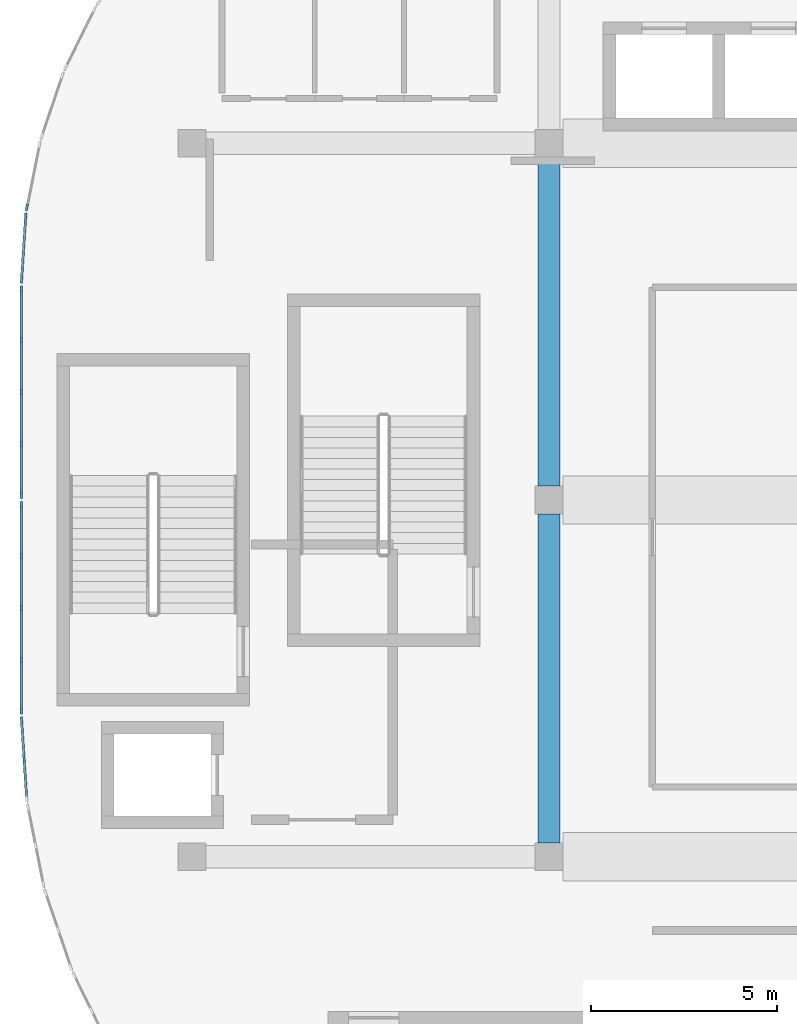
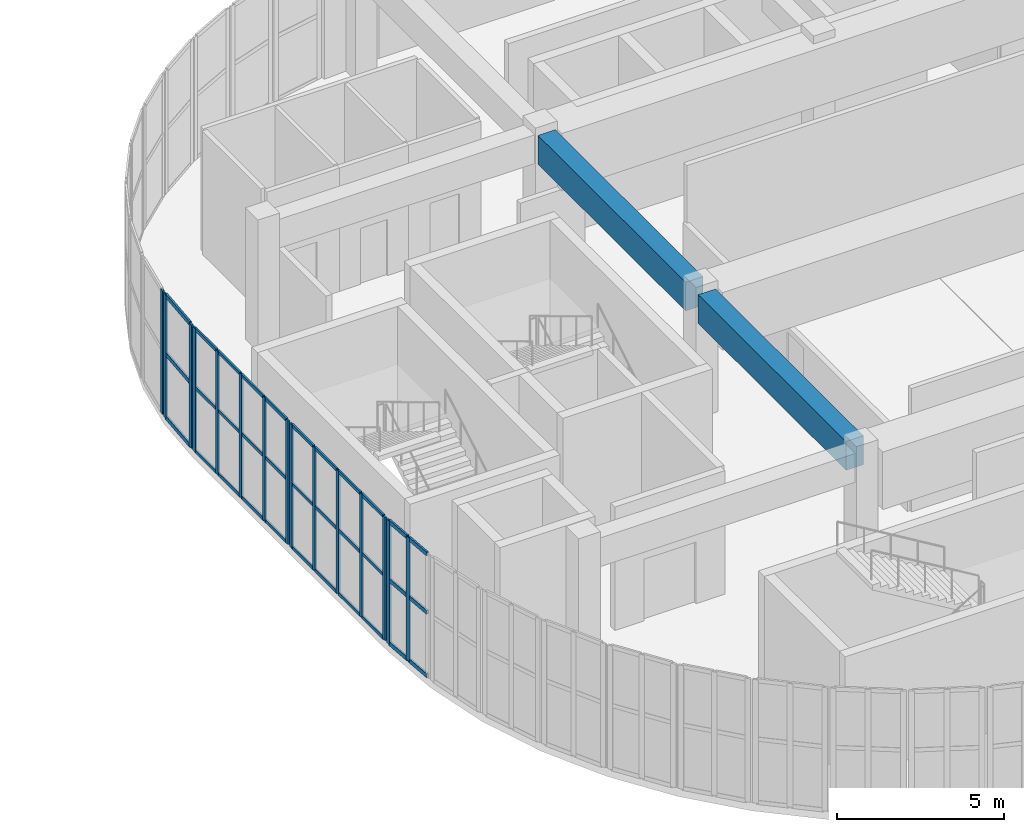
# One storey, part 5 of 28: 48 members, 2 beams, 5 elements without a shape of their own.
"""IFC4 building model written with IfcOpenShell, lengths in metres."""

from ifc_helpers import new_model, si_unit, direction, frame, origin, origin_2d, place, context, subcontext, project, spatial, rectangle, extrude, material, layer, layer_set, material_profile, profile_set, type_object, element, aggregate, save


model = new_model("IFC4")

# Units and contexts
model_context = context("Model", 3, precision=1e-05, world=origin(), true_north=direction((0.0, 1.0)))
body_context = subcontext(model_context, "Body", "Model", "MODEL_VIEW")
ifc_project = project(units=[si_unit("LENGTHUNIT", "METRE"), si_unit("AREAUNIT", "SQUARE_METRE"), si_unit("VOLUMEUNIT", "CUBIC_METRE"), si_unit("PLANEANGLEUNIT", "RADIAN"), si_unit("MASSUNIT", "GRAM", prefix="KILO")], contexts=[model_context])

# Site, building, storey
site_placement = place(None, origin())
site = spatial("IfcSite", under=ifc_project, at=site_placement, CompositionType="ELEMENT")
building_placement = place(site_placement, origin())
building = spatial("IfcBuilding", under=site, at=building_placement, Name="Cendralis Terraced Arcade", CompositionType="ELEMENT")
storey_placement = place(building_placement, frame((0.0, 0.0, 24.60009765625)))
storey = spatial("IfcBuildingStorey", under=building, at=storey_placement, Name="L05", CompositionType="ELEMENT", Elevation=24.60009765625)

# Beams
ifc_material_1 = material(Name="Concrete f'c 35 MPa", Category="concrete")
ifc_material_profile_1 = material_profile(ifc_material_1, rectangle(XDim=0.60009765625, YDim=1.050048828125, at=origin_2d()), Name="RC-BM-600x1050", Category="LoadBearing")
ifc_profile_set_1 = profile_set([ifc_material_profile_1], Name="Concrete f'c 35 MPa")
beam_type = type_object("IfcBeamType", Name="BM-600x1050", PredefinedType="JOIST", material=ifc_profile_set_1)
beam_1_placement = place(storey_placement, frame((19.199951171875, 19.574951171875, 3.98486328125), z_axis=(0.0, 1.0, 0.0), x_axis=(-1.0, 0.0, 0.0)))
element("IfcBeam", 1, at=beam_1_placement, inside=storey, type_object=beam_type, Name="Reinforced Concrete Frame Beam BM-Y-L06-3-C_D", PredefinedType="JOIST", context=body_context, shape_type="SweptSolid", body=[
    extrude(rectangle(XDim=0.60009765625, YDim=1.050048828125, at=origin_2d()), origin(), (0.0, 0.0, 1.0), 8.85009765625),
])
beam_2_placement = place(storey_placement, frame((19.199951171875, 29.175048828125, 3.98486328125), z_axis=(0.0, 1.0, 0.0), x_axis=(-1.0, 0.0, 0.0)))
element("IfcBeam", 2, at=beam_2_placement, inside=storey, type_object=beam_type, Name="Reinforced Concrete Frame Beam BM-Y-L06-3-D_E", PredefinedType="JOIST", context=body_context, shape_type="SweptSolid", body=[
    extrude(rectangle(XDim=0.60009765625, YDim=1.050048828125, at=origin_2d()), origin(), (0.0, 0.0, 1.0), 8.849853515625),
])

# Curtain wall, members
ifc_material_2 = material(Name="Anodised aluminium EN AW-6063 T6", Category="aluminium")
ifc_layer_1 = layer(ifc_material_2, 0.179931640625, Name="CW-UNIT-A")
ifc_layer_set_1 = layer_set([ifc_layer_1], Name="Anodised aluminium EN AW-6063 T6")
curtain_wall_type_1 = type_object("IfcCurtainWallType", Name="CW-UNIT-A", PredefinedType="USERDEFINED", material=ifc_layer_set_1)
curtain_wall_1_placement = place(storey_placement, origin())
curtain_wall_1 = element("IfcCurtainWall", 3, at=curtain_wall_1_placement, inside=storey, type_object=curtain_wall_type_1, Name="Exterior Unitised Facade CW-L05-0379", ObjectType="UNITISED FACADE", PredefinedType="USERDEFINED")
ifc_material_profile_2 = material_profile(ifc_material_2, rectangle(XDim=0.06494140625, YDim=0.179931640625, at=origin_2d()), Name="ALU-MUL-65x180")
ifc_profile_set_2 = profile_set([ifc_material_profile_2], Name="Anodised aluminium EN AW-6063 T6")
member_type_1 = type_object("IfcMemberType", Name="CW-UNIT-A-MUL", PredefinedType="MULLION", material=ifc_profile_set_2)
member_1_placement = place(storey_placement, frame((5.008056640625, 34.72216796875, 0.0), z_axis=(0.0, 0.0, 1.0), x_axis=(-0.997860971336, 0.065371873798, 0.0)))
member_1 = element("IfcMember", 4, at=member_1_placement, type_object=member_type_1, Name="CW-U1 mullion 1", PredefinedType="MULLION", context=body_context, shape_type="SweptSolid", body=[
    extrude(rectangle(XDim=0.06494140625, YDim=0.179931640625, at=origin_2d()), origin(), (0.0, 0.0, 1.0), 4.510009765625),
])
member_2_placement = place(storey_placement, frame((5.120361328125, 36.435791015625, 0.0), z_axis=(0.0, 0.0, 1.0), x_axis=(-0.997860971336, 0.065371873798, 0.0)))
member_2 = element("IfcMember", 5, at=member_2_placement, type_object=member_type_1, Name="CW-U1 mullion 2", PredefinedType="MULLION", context=body_context, shape_type="SweptSolid", body=[
    extrude(rectangle(XDim=0.06494140625, YDim=0.179931640625, at=origin_2d()), origin(), (0.0, 0.0, 1.0), 4.510009765625),
])

# Curtain wall, member
curtain_wall_2_placement = place(storey_placement, origin())
curtain_wall_2 = element("IfcCurtainWall", 6, at=curtain_wall_2_placement, inside=storey, type_object=curtain_wall_type_1, Name="Exterior Unitised Facade CW-L05-0380", ObjectType="UNITISED FACADE", PredefinedType="USERDEFINED")
member_3_placement = place(storey_placement, frame((5.15234375, 36.677978515625, 0.0), z_axis=(0.0, 0.0, 1.0), x_axis=(-0.980791618721, 0.195058454434, 0.0)))
member_3 = element("IfcMember", 7, at=member_3_placement, type_object=member_type_1, Name="CW-U1 mullion 1", PredefinedType="MULLION", context=body_context, shape_type="SweptSolid", body=[
    extrude(rectangle(XDim=0.06494140625, YDim=0.179931640625, at=origin_2d()), origin(), (0.0, 0.0, 1.0), 4.510009765625),
])
aggregate(curtain_wall_2, [member_3])

# Curtain wall, members
curtain_wall_3_placement = place(storey_placement, origin())
curtain_wall_3 = element("IfcCurtainWall", 8, at=curtain_wall_3_placement, inside=storey, type_object=curtain_wall_type_1, Name="Exterior Unitised Facade CW-L05-0428", ObjectType="UNITISED FACADE", PredefinedType="USERDEFINED")
member_4_placement = place(storey_placement, frame((5.076904296875, 21.8251953125, 0.0), z_axis=(0.0, 0.0, 1.0), x_axis=(-0.99785960626, -0.065392707503, 0.0)))
member_4 = element("IfcMember", 9, at=member_4_placement, type_object=member_type_1, Name="CW-U1 mullion 2", PredefinedType="MULLION", context=body_context, shape_type="SweptSolid", body=[
    extrude(rectangle(XDim=0.06494140625, YDim=0.179931640625, at=origin_2d()), origin(), (0.0, 0.0, 1.0), 4.510009765625),
])
member_5_placement = place(storey_placement, frame((5.008056640625, 22.877685546875, 0.0), z_axis=(0.0, 0.0, 1.0), x_axis=(-0.99785960626, -0.065392707503, 0.0)))
member_5 = element("IfcMember", 10, at=member_5_placement, type_object=member_type_1, Name="CW-U1 mullion 3", PredefinedType="MULLION", context=body_context, shape_type="SweptSolid", body=[
    extrude(rectangle(XDim=0.06494140625, YDim=0.179931640625, at=origin_2d()), origin(), (0.0, 0.0, 1.0), 4.510009765625),
])

# Member
ifc_material_profile_3 = material_profile(ifc_material_2, rectangle(XDim=0.06494140625, YDim=0.14990234375, at=origin_2d()), Name="ALU-TRN-65x150")
ifc_profile_set_3 = profile_set([ifc_material_profile_3], Name="Anodised aluminium EN AW-6063 T6")
member_type_2 = type_object("IfcMemberType", Name="CW-UNIT-A-TRN", PredefinedType="USERDEFINED", material=ifc_profile_set_3)
member_6_placement = place(storey_placement, frame((5.01025390625, 34.754638671875, 0.032470703125), z_axis=(0.065312640858, 0.997864850039, 0.0), x_axis=(-0.997864850039, 0.065312640858, 0.0)))
member_6 = element("IfcMember", 11, at=member_6_placement, type_object=member_type_2, Name="CW-U1 transom 1.1", ObjectType="TRANSOM", PredefinedType="USERDEFINED", context=body_context, shape_type="SweptSolid", body=[
    extrude(rectangle(XDim=0.06494140625, YDim=0.14990234375, at=origin_2d()), origin(), (0.0, 0.0, 1.0), 1.652099609375),
])

member_7_placement = place(storey_placement, frame((5.01025390625, 34.754638671875, 2.34521484375), z_axis=(0.065312640858, 0.997864850039, 0.0), x_axis=(-0.997864850039, 0.065312640858, 0.0)))
member_7 = element("IfcMember", 12, at=member_7_placement, type_object=member_type_2, Name="CW-U1 transom 1.2", ObjectType="TRANSOM", PredefinedType="USERDEFINED", context=body_context, shape_type="SweptSolid", body=[
    extrude(rectangle(XDim=0.06494140625, YDim=0.14990234375, at=origin_2d()), origin(), (0.0, 0.0, 1.0), 1.652099609375),
])

member_8_placement = place(storey_placement, frame((5.01025390625, 34.754638671875, 4.477294921875), z_axis=(0.065312640858, 0.997864850039, 0.0), x_axis=(-0.997864850039, 0.065312640858, 0.0)))
member_8 = element("IfcMember", 13, at=member_8_placement, type_object=member_type_2, Name="CW-U1 transom 1.3", ObjectType="TRANSOM", PredefinedType="USERDEFINED", context=body_context, shape_type="SweptSolid", body=[
    extrude(rectangle(XDim=0.06494140625, YDim=0.14990234375, at=origin_2d()), origin(), (0.0, 0.0, 1.0), 1.652099609375),
])

aggregate(curtain_wall_1, [member_1, member_2, member_6, member_7, member_8])

member_9_placement = place(storey_placement, frame((5.143798828125, 20.80517578125, 0.032470703125), z_axis=(-0.065372840697, 0.997860907992, 0.0), x_axis=(-0.997860907992, -0.065372840697, 0.0)))
member_9 = element("IfcMember", 14, at=member_9_placement, type_object=member_type_2, Name="CW-U1 transom 1.1", ObjectType="TRANSOM", PredefinedType="USERDEFINED", context=body_context, shape_type="SweptSolid", body=[
    extrude(rectangle(XDim=0.06494140625, YDim=0.14990234375, at=origin_2d()), origin(), (0.0, 0.0, 1.0), 0.98974609375),
])

member_10_placement = place(storey_placement, frame((5.143798828125, 20.80517578125, 2.34521484375), z_axis=(-0.065372840697, 0.997860907992, 0.0), x_axis=(-0.997860907992, -0.065372840697, 0.0)))
member_10 = element("IfcMember", 15, at=member_10_placement, type_object=member_type_2, Name="CW-U1 transom 1.2", ObjectType="TRANSOM", PredefinedType="USERDEFINED", context=body_context, shape_type="SweptSolid", body=[
    extrude(rectangle(XDim=0.06494140625, YDim=0.14990234375, at=origin_2d()), origin(), (0.0, 0.0, 1.0), 0.98974609375),
])

member_11_placement = place(storey_placement, frame((5.143798828125, 20.80517578125, 4.477294921875), z_axis=(-0.065372840697, 0.997860907992, 0.0), x_axis=(-0.997860907992, -0.065372840697, 0.0)))
member_11 = element("IfcMember", 16, at=member_11_placement, type_object=member_type_2, Name="CW-U1 transom 1.3", ObjectType="TRANSOM", PredefinedType="USERDEFINED", context=body_context, shape_type="SweptSolid", body=[
    extrude(rectangle(XDim=0.06494140625, YDim=0.14990234375, at=origin_2d()), origin(), (0.0, 0.0, 1.0), 0.98974609375),
])

member_12_placement = place(storey_placement, frame((5.074951171875, 21.857666015625, 0.032470703125), z_axis=(-0.065356752321, 0.997861961859, 0.0), x_axis=(-0.997861961859, -0.065356752321, 0.0)))
member_12 = element("IfcMember", 17, at=member_12_placement, type_object=member_type_2, Name="CW-U1 transom 2.1", ObjectType="TRANSOM", PredefinedType="USERDEFINED", context=body_context, shape_type="SweptSolid", body=[
    extrude(rectangle(XDim=0.06494140625, YDim=0.14990234375, at=origin_2d()), origin(), (0.0, 0.0, 1.0), 0.989990234375),
])

member_13_placement = place(storey_placement, frame((5.074951171875, 21.857666015625, 2.34521484375), z_axis=(-0.065356752321, 0.997861961859, 0.0), x_axis=(-0.997861961859, -0.065356752321, 0.0)))
member_13 = element("IfcMember", 18, at=member_13_placement, type_object=member_type_2, Name="CW-U1 transom 2.2", ObjectType="TRANSOM", PredefinedType="USERDEFINED", context=body_context, shape_type="SweptSolid", body=[
    extrude(rectangle(XDim=0.06494140625, YDim=0.14990234375, at=origin_2d()), origin(), (0.0, 0.0, 1.0), 0.989990234375),
])

member_14_placement = place(storey_placement, frame((5.074951171875, 21.857666015625, 4.477294921875), z_axis=(-0.065356752321, 0.997861961859, 0.0), x_axis=(-0.997861961859, -0.065356752321, 0.0)))
member_14 = element("IfcMember", 19, at=member_14_placement, type_object=member_type_2, Name="CW-U1 transom 2.3", ObjectType="TRANSOM", PredefinedType="USERDEFINED", context=body_context, shape_type="SweptSolid", body=[
    extrude(rectangle(XDim=0.06494140625, YDim=0.14990234375, at=origin_2d()), origin(), (0.0, 0.0, 1.0), 0.989990234375),
])

aggregate(curtain_wall_3, [member_4, member_5, member_9, member_10, member_11, member_12, member_13, member_14])

# Curtain wall, members
ifc_layer_2 = layer(ifc_material_2, 0.159912109375, Name="CW-UNIT-B")
ifc_layer_set_2 = layer_set([ifc_layer_2], Name="Anodised aluminium EN AW-6063 T6")
curtain_wall_type_2 = type_object("IfcCurtainWallType", Name="CW-UNIT-B", PredefinedType="USERDEFINED", material=ifc_layer_set_2)
curtain_wall_4_placement = place(storey_placement, origin())
curtain_wall_4 = element("IfcCurtainWall", 20, at=curtain_wall_4_placement, inside=storey, type_object=curtain_wall_type_2, Name="Exterior Unitised Facade CW-L05-0429", ObjectType="UNITISED FACADE", PredefinedType="USERDEFINED")
ifc_material_profile_4 = material_profile(ifc_material_2, rectangle(XDim=0.06494140625, YDim=0.159912109375, at=origin_2d()), Name="ALU-MUL-65x160")
ifc_profile_set_4 = profile_set([ifc_material_profile_4], Name="Anodised aluminium EN AW-6063 T6")
member_type_3 = type_object("IfcMemberType", Name="CW-UNIT-B-MUL", PredefinedType="MULLION", material=ifc_profile_set_4)
member_15_placement = place(storey_placement, frame((5.0, 23.12255859375, 0.0), z_axis=(0.0, 0.0, 1.0), x_axis=(-1.0, 0.0, 0.0)))
member_15 = element("IfcMember", 21, at=member_15_placement, type_object=member_type_3, Name="CW-U2 mullion 1", PredefinedType="MULLION", context=body_context, shape_type="SweptSolid", body=[
    extrude(rectangle(XDim=0.06494140625, YDim=0.159912109375, at=origin_2d()), origin(), (0.0, 0.0, 1.0), 4.510009765625),
])
member_16_placement = place(storey_placement, frame((5.0, 24.4951171875, 0.0), z_axis=(0.0, 0.0, 1.0), x_axis=(-1.0, 0.0, 0.0)))
member_16 = element("IfcMember", 22, at=member_16_placement, type_object=member_type_3, Name="CW-U2 mullion 2", PredefinedType="MULLION", context=body_context, shape_type="SweptSolid", body=[
    extrude(rectangle(XDim=0.06494140625, YDim=0.159912109375, at=origin_2d()), origin(), (0.0, 0.0, 1.0), 4.510009765625),
])
member_17_placement = place(storey_placement, frame((5.0, 25.89990234375, 0.0), z_axis=(0.0, 0.0, 1.0), x_axis=(-1.0, 0.0, 0.0)))
member_17 = element("IfcMember", 23, at=member_17_placement, type_object=member_type_3, Name="CW-U2 mullion 3", PredefinedType="MULLION", context=body_context, shape_type="SweptSolid", body=[
    extrude(rectangle(XDim=0.06494140625, YDim=0.159912109375, at=origin_2d()), origin(), (0.0, 0.0, 1.0), 4.510009765625),
])
member_18_placement = place(storey_placement, frame((5.0, 27.304931640625, 0.0), z_axis=(0.0, 0.0, 1.0), x_axis=(-1.0, 0.0, 0.0)))
member_18 = element("IfcMember", 24, at=member_18_placement, type_object=member_type_3, Name="CW-U2 mullion 4", PredefinedType="MULLION", context=body_context, shape_type="SweptSolid", body=[
    extrude(rectangle(XDim=0.06494140625, YDim=0.159912109375, at=origin_2d()), origin(), (0.0, 0.0, 1.0), 4.510009765625),
])
member_19_placement = place(storey_placement, frame((5.0, 28.677490234375, 0.0), z_axis=(0.0, 0.0, 1.0), x_axis=(-1.0, 0.0, 0.0)))
member_19 = element("IfcMember", 25, at=member_19_placement, type_object=member_type_3, Name="CW-U2 mullion 5", PredefinedType="MULLION", context=body_context, shape_type="SweptSolid", body=[
    extrude(rectangle(XDim=0.06494140625, YDim=0.159912109375, at=origin_2d()), origin(), (0.0, 0.0, 1.0), 4.510009765625),
])

curtain_wall_5_placement = place(storey_placement, origin())
curtain_wall_5 = element("IfcCurtainWall", 26, at=curtain_wall_5_placement, inside=storey, type_object=curtain_wall_type_2, Name="Exterior Unitised Facade CW-L05-0430", ObjectType="UNITISED FACADE", PredefinedType="USERDEFINED")
member_20_placement = place(storey_placement, frame((5.0, 28.922607421875, 0.0), z_axis=(0.0, 0.0, 1.0), x_axis=(-1.0, 0.0, 0.0)))
member_20 = element("IfcMember", 27, at=member_20_placement, type_object=member_type_3, Name="CW-U2 mullion 1", PredefinedType="MULLION", context=body_context, shape_type="SweptSolid", body=[
    extrude(rectangle(XDim=0.06494140625, YDim=0.159912109375, at=origin_2d()), origin(), (0.0, 0.0, 1.0), 4.510009765625),
])
member_21_placement = place(storey_placement, frame((5.0, 30.294921875, 0.0), z_axis=(0.0, 0.0, 1.0), x_axis=(-1.0, 0.0, 0.0)))
member_21 = element("IfcMember", 28, at=member_21_placement, type_object=member_type_3, Name="CW-U2 mullion 2", PredefinedType="MULLION", context=body_context, shape_type="SweptSolid", body=[
    extrude(rectangle(XDim=0.06494140625, YDim=0.159912109375, at=origin_2d()), origin(), (0.0, 0.0, 1.0), 4.510009765625),
])
member_22_placement = place(storey_placement, frame((5.0, 31.699951171875, 0.0), z_axis=(0.0, 0.0, 1.0), x_axis=(-1.0, 0.0, 0.0)))
member_22 = element("IfcMember", 29, at=member_22_placement, type_object=member_type_3, Name="CW-U2 mullion 3", PredefinedType="MULLION", context=body_context, shape_type="SweptSolid", body=[
    extrude(rectangle(XDim=0.06494140625, YDim=0.159912109375, at=origin_2d()), origin(), (0.0, 0.0, 1.0), 4.510009765625),
])
member_23_placement = place(storey_placement, frame((5.0, 33.10498046875, 0.0), z_axis=(0.0, 0.0, 1.0), x_axis=(-1.0, 0.0, 0.0)))
member_23 = element("IfcMember", 30, at=member_23_placement, type_object=member_type_3, Name="CW-U2 mullion 4", PredefinedType="MULLION", context=body_context, shape_type="SweptSolid", body=[
    extrude(rectangle(XDim=0.06494140625, YDim=0.159912109375, at=origin_2d()), origin(), (0.0, 0.0, 1.0), 4.510009765625),
])
member_24_placement = place(storey_placement, frame((5.0, 34.4775390625, 0.0), z_axis=(0.0, 0.0, 1.0), x_axis=(-1.0, 0.0, 0.0)))
member_24 = element("IfcMember", 31, at=member_24_placement, type_object=member_type_3, Name="CW-U2 mullion 5", PredefinedType="MULLION", context=body_context, shape_type="SweptSolid", body=[
    extrude(rectangle(XDim=0.06494140625, YDim=0.159912109375, at=origin_2d()), origin(), (0.0, 0.0, 1.0), 4.510009765625),
])

# Member
ifc_material_profile_5 = material_profile(ifc_material_2, rectangle(XDim=0.06005859375, YDim=0.1201171875, at=origin_2d()), Name="ALU-TRN-60x120")
ifc_profile_set_5 = profile_set([ifc_material_profile_5], Name="Anodised aluminium EN AW-6063 T6")
member_type_4 = type_object("IfcMemberType", Name="CW-UNIT-B-TRN", PredefinedType="USERDEFINED", material=ifc_profile_set_5)
member_25_placement = place(storey_placement, frame((5.0, 23.155029296875, 0.02978515625), z_axis=(0.0, 1.0, 0.0), x_axis=(-1.0, 0.0, 0.0)))
member_25 = element("IfcMember", 32, at=member_25_placement, type_object=member_type_4, Name="CW-U2 transom 1.1", ObjectType="TRANSOM", PredefinedType="USERDEFINED", context=body_context, shape_type="SweptSolid", body=[
    extrude(rectangle(XDim=0.06005859375, YDim=0.1201171875, at=origin_2d()), origin(), (0.0, 0.0, 1.0), 1.307373046875),
])

member_26_placement = place(storey_placement, frame((5.0, 23.155029296875, 2.34521484375), z_axis=(0.0, 1.0, 0.0), x_axis=(-1.0, 0.0, 0.0)))
member_26 = element("IfcMember", 33, at=member_26_placement, type_object=member_type_4, Name="CW-U2 transom 1.2", ObjectType="TRANSOM", PredefinedType="USERDEFINED", context=body_context, shape_type="SweptSolid", body=[
    extrude(rectangle(XDim=0.06005859375, YDim=0.1201171875, at=origin_2d()), origin(), (0.0, 0.0, 1.0), 1.307373046875),
])

member_27_placement = place(storey_placement, frame((5.0, 23.155029296875, 4.47998046875), z_axis=(0.0, 1.0, 0.0), x_axis=(-1.0, 0.0, 0.0)))
member_27 = element("IfcMember", 34, at=member_27_placement, type_object=member_type_4, Name="CW-U2 transom 1.3", ObjectType="TRANSOM", PredefinedType="USERDEFINED", context=body_context, shape_type="SweptSolid", body=[
    extrude(rectangle(XDim=0.06005859375, YDim=0.1201171875, at=origin_2d()), origin(), (0.0, 0.0, 1.0), 1.307373046875),
])

member_28_placement = place(storey_placement, frame((5.0, 24.527587890625, 0.02978515625), z_axis=(0.0, 1.0, 0.0), x_axis=(-1.0, 0.0, 0.0)))
member_28 = element("IfcMember", 35, at=member_28_placement, type_object=member_type_4, Name="CW-U2 transom 2.1", ObjectType="TRANSOM", PredefinedType="USERDEFINED", context=body_context, shape_type="SweptSolid", body=[
    extrude(rectangle(XDim=0.06005859375, YDim=0.1201171875, at=origin_2d()), origin(), (0.0, 0.0, 1.0), 1.33984375),
])

member_29_placement = place(storey_placement, frame((5.0, 24.527587890625, 2.34521484375), z_axis=(0.0, 1.0, 0.0), x_axis=(-1.0, 0.0, 0.0)))
member_29 = element("IfcMember", 36, at=member_29_placement, type_object=member_type_4, Name="CW-U2 transom 2.2", ObjectType="TRANSOM", PredefinedType="USERDEFINED", context=body_context, shape_type="SweptSolid", body=[
    extrude(rectangle(XDim=0.06005859375, YDim=0.1201171875, at=origin_2d()), origin(), (0.0, 0.0, 1.0), 1.33984375),
])

member_30_placement = place(storey_placement, frame((5.0, 24.527587890625, 4.47998046875), z_axis=(0.0, 1.0, 0.0), x_axis=(-1.0, 0.0, 0.0)))
member_30 = element("IfcMember", 37, at=member_30_placement, type_object=member_type_4, Name="CW-U2 transom 2.3", ObjectType="TRANSOM", PredefinedType="USERDEFINED", context=body_context, shape_type="SweptSolid", body=[
    extrude(rectangle(XDim=0.06005859375, YDim=0.1201171875, at=origin_2d()), origin(), (0.0, 0.0, 1.0), 1.33984375),
])

member_31_placement = place(storey_placement, frame((5.0, 25.9326171875, 0.02978515625), z_axis=(0.0, 1.0, 0.0), x_axis=(-1.0, 0.0, 0.0)))
member_31 = element("IfcMember", 38, at=member_31_placement, type_object=member_type_4, Name="CW-U2 transom 3.1", ObjectType="TRANSOM", PredefinedType="USERDEFINED", context=body_context, shape_type="SweptSolid", body=[
    extrude(rectangle(XDim=0.06005859375, YDim=0.1201171875, at=origin_2d()), origin(), (0.0, 0.0, 1.0), 1.33984375),
])

member_32_placement = place(storey_placement, frame((5.0, 25.9326171875, 2.34521484375), z_axis=(0.0, 1.0, 0.0), x_axis=(-1.0, 0.0, 0.0)))
member_32 = element("IfcMember", 39, at=member_32_placement, type_object=member_type_4, Name="CW-U2 transom 3.2", ObjectType="TRANSOM", PredefinedType="USERDEFINED", context=body_context, shape_type="SweptSolid", body=[
    extrude(rectangle(XDim=0.06005859375, YDim=0.1201171875, at=origin_2d()), origin(), (0.0, 0.0, 1.0), 1.33984375),
])

member_33_placement = place(storey_placement, frame((5.0, 25.9326171875, 4.47998046875), z_axis=(0.0, 1.0, 0.0), x_axis=(-1.0, 0.0, 0.0)))
member_33 = element("IfcMember", 40, at=member_33_placement, type_object=member_type_4, Name="CW-U2 transom 3.3", ObjectType="TRANSOM", PredefinedType="USERDEFINED", context=body_context, shape_type="SweptSolid", body=[
    extrude(rectangle(XDim=0.06005859375, YDim=0.1201171875, at=origin_2d()), origin(), (0.0, 0.0, 1.0), 1.33984375),
])

member_34_placement = place(storey_placement, frame((5.0, 27.33740234375, 0.02978515625), z_axis=(0.0, 1.0, 0.0), x_axis=(-1.0, 0.0, 0.0)))
member_34 = element("IfcMember", 41, at=member_34_placement, type_object=member_type_4, Name="CW-U2 transom 4.1", ObjectType="TRANSOM", PredefinedType="USERDEFINED", context=body_context, shape_type="SweptSolid", body=[
    extrude(rectangle(XDim=0.06005859375, YDim=0.1201171875, at=origin_2d()), origin(), (0.0, 0.0, 1.0), 1.3076171875),
])

member_35_placement = place(storey_placement, frame((5.0, 27.33740234375, 2.34521484375), z_axis=(0.0, 1.0, 0.0), x_axis=(-1.0, 0.0, 0.0)))
member_35 = element("IfcMember", 42, at=member_35_placement, type_object=member_type_4, Name="CW-U2 transom 4.2", ObjectType="TRANSOM", PredefinedType="USERDEFINED", context=body_context, shape_type="SweptSolid", body=[
    extrude(rectangle(XDim=0.06005859375, YDim=0.1201171875, at=origin_2d()), origin(), (0.0, 0.0, 1.0), 1.3076171875),
])

member_36_placement = place(storey_placement, frame((5.0, 27.33740234375, 4.47998046875), z_axis=(0.0, 1.0, 0.0), x_axis=(-1.0, 0.0, 0.0)))
member_36 = element("IfcMember", 43, at=member_36_placement, type_object=member_type_4, Name="CW-U2 transom 4.3", ObjectType="TRANSOM", PredefinedType="USERDEFINED", context=body_context, shape_type="SweptSolid", body=[
    extrude(rectangle(XDim=0.06005859375, YDim=0.1201171875, at=origin_2d()), origin(), (0.0, 0.0, 1.0), 1.3076171875),
])

aggregate(curtain_wall_4, [member_15, member_16, member_17, member_18, member_19, member_25, member_26, member_27, member_28, member_29, member_30, member_31, member_32, member_33, member_34, member_35, member_36])

member_37_placement = place(storey_placement, frame((5.0, 28.955078125, 0.02978515625), z_axis=(0.0, 1.0, 0.0), x_axis=(-1.0, 0.0, 0.0)))
member_37 = element("IfcMember", 44, at=member_37_placement, type_object=member_type_4, Name="CW-U2 transom 1.1", ObjectType="TRANSOM", PredefinedType="USERDEFINED", context=body_context, shape_type="SweptSolid", body=[
    extrude(rectangle(XDim=0.06005859375, YDim=0.1201171875, at=origin_2d()), origin(), (0.0, 0.0, 1.0), 1.307373046875),
])

member_38_placement = place(storey_placement, frame((5.0, 28.955078125, 2.34521484375), z_axis=(0.0, 1.0, 0.0), x_axis=(-1.0, 0.0, 0.0)))
member_38 = element("IfcMember", 45, at=member_38_placement, type_object=member_type_4, Name="CW-U2 transom 1.2", ObjectType="TRANSOM", PredefinedType="USERDEFINED", context=body_context, shape_type="SweptSolid", body=[
    extrude(rectangle(XDim=0.06005859375, YDim=0.1201171875, at=origin_2d()), origin(), (0.0, 0.0, 1.0), 1.307373046875),
])

member_39_placement = place(storey_placement, frame((5.0, 28.955078125, 4.47998046875), z_axis=(0.0, 1.0, 0.0), x_axis=(-1.0, 0.0, 0.0)))
member_39 = element("IfcMember", 46, at=member_39_placement, type_object=member_type_4, Name="CW-U2 transom 1.3", ObjectType="TRANSOM", PredefinedType="USERDEFINED", context=body_context, shape_type="SweptSolid", body=[
    extrude(rectangle(XDim=0.06005859375, YDim=0.1201171875, at=origin_2d()), origin(), (0.0, 0.0, 1.0), 1.307373046875),
])

member_40_placement = place(storey_placement, frame((5.0, 30.327392578125, 0.02978515625), z_axis=(0.0, 1.0, 0.0), x_axis=(-1.0, 0.0, 0.0)))
member_40 = element("IfcMember", 47, at=member_40_placement, type_object=member_type_4, Name="CW-U2 transom 2.1", ObjectType="TRANSOM", PredefinedType="USERDEFINED", context=body_context, shape_type="SweptSolid", body=[
    extrude(rectangle(XDim=0.06005859375, YDim=0.1201171875, at=origin_2d()), origin(), (0.0, 0.0, 1.0), 1.340087890625),
])

member_41_placement = place(storey_placement, frame((5.0, 30.327392578125, 2.34521484375), z_axis=(0.0, 1.0, 0.0), x_axis=(-1.0, 0.0, 0.0)))
member_41 = element("IfcMember", 48, at=member_41_placement, type_object=member_type_4, Name="CW-U2 transom 2.2", ObjectType="TRANSOM", PredefinedType="USERDEFINED", context=body_context, shape_type="SweptSolid", body=[
    extrude(rectangle(XDim=0.06005859375, YDim=0.1201171875, at=origin_2d()), origin(), (0.0, 0.0, 1.0), 1.340087890625),
])

member_42_placement = place(storey_placement, frame((5.0, 30.327392578125, 4.47998046875), z_axis=(0.0, 1.0, 0.0), x_axis=(-1.0, 0.0, 0.0)))
member_42 = element("IfcMember", 49, at=member_42_placement, type_object=member_type_4, Name="CW-U2 transom 2.3", ObjectType="TRANSOM", PredefinedType="USERDEFINED", context=body_context, shape_type="SweptSolid", body=[
    extrude(rectangle(XDim=0.06005859375, YDim=0.1201171875, at=origin_2d()), origin(), (0.0, 0.0, 1.0), 1.340087890625),
])

member_43_placement = place(storey_placement, frame((5.0, 31.732421875, 0.02978515625), z_axis=(0.0, 1.0, 0.0), x_axis=(-1.0, 0.0, 0.0)))
member_43 = element("IfcMember", 50, at=member_43_placement, type_object=member_type_4, Name="CW-U2 transom 3.1", ObjectType="TRANSOM", PredefinedType="USERDEFINED", context=body_context, shape_type="SweptSolid", body=[
    extrude(rectangle(XDim=0.06005859375, YDim=0.1201171875, at=origin_2d()), origin(), (0.0, 0.0, 1.0), 1.340087890625),
])

member_44_placement = place(storey_placement, frame((5.0, 31.732421875, 2.34521484375), z_axis=(0.0, 1.0, 0.0), x_axis=(-1.0, 0.0, 0.0)))
member_44 = element("IfcMember", 51, at=member_44_placement, type_object=member_type_4, Name="CW-U2 transom 3.2", ObjectType="TRANSOM", PredefinedType="USERDEFINED", context=body_context, shape_type="SweptSolid", body=[
    extrude(rectangle(XDim=0.06005859375, YDim=0.1201171875, at=origin_2d()), origin(), (0.0, 0.0, 1.0), 1.340087890625),
])

member_45_placement = place(storey_placement, frame((5.0, 31.732421875, 4.47998046875), z_axis=(0.0, 1.0, 0.0), x_axis=(-1.0, 0.0, 0.0)))
member_45 = element("IfcMember", 52, at=member_45_placement, type_object=member_type_4, Name="CW-U2 transom 3.3", ObjectType="TRANSOM", PredefinedType="USERDEFINED", context=body_context, shape_type="SweptSolid", body=[
    extrude(rectangle(XDim=0.06005859375, YDim=0.1201171875, at=origin_2d()), origin(), (0.0, 0.0, 1.0), 1.340087890625),
])

member_46_placement = place(storey_placement, frame((5.0, 33.137451171875, 0.02978515625), z_axis=(0.0, 1.0, 0.0), x_axis=(-1.0, 0.0, 0.0)))
member_46 = element("IfcMember", 53, at=member_46_placement, type_object=member_type_4, Name="CW-U2 transom 4.1", ObjectType="TRANSOM", PredefinedType="USERDEFINED", context=body_context, shape_type="SweptSolid", body=[
    extrude(rectangle(XDim=0.06005859375, YDim=0.1201171875, at=origin_2d()), origin(), (0.0, 0.0, 1.0), 1.3076171875),
])

member_47_placement = place(storey_placement, frame((5.0, 33.137451171875, 2.34521484375), z_axis=(0.0, 1.0, 0.0), x_axis=(-1.0, 0.0, 0.0)))
member_47 = element("IfcMember", 54, at=member_47_placement, type_object=member_type_4, Name="CW-U2 transom 4.2", ObjectType="TRANSOM", PredefinedType="USERDEFINED", context=body_context, shape_type="SweptSolid", body=[
    extrude(rectangle(XDim=0.06005859375, YDim=0.1201171875, at=origin_2d()), origin(), (0.0, 0.0, 1.0), 1.3076171875),
])

member_48_placement = place(storey_placement, frame((5.0, 33.137451171875, 4.47998046875), z_axis=(0.0, 1.0, 0.0), x_axis=(-1.0, 0.0, 0.0)))
member_48 = element("IfcMember", 55, at=member_48_placement, type_object=member_type_4, Name="CW-U2 transom 4.3", ObjectType="TRANSOM", PredefinedType="USERDEFINED", context=body_context, shape_type="SweptSolid", body=[
    extrude(rectangle(XDim=0.06005859375, YDim=0.1201171875, at=origin_2d()), origin(), (0.0, 0.0, 1.0), 1.3076171875),
])

aggregate(curtain_wall_5, [member_20, member_21, member_22, member_23, member_24, member_37, member_38, member_39, member_40, member_41, member_42, member_43, member_44, member_45, member_46, member_47, member_48])

save(model, "model.ifc")
